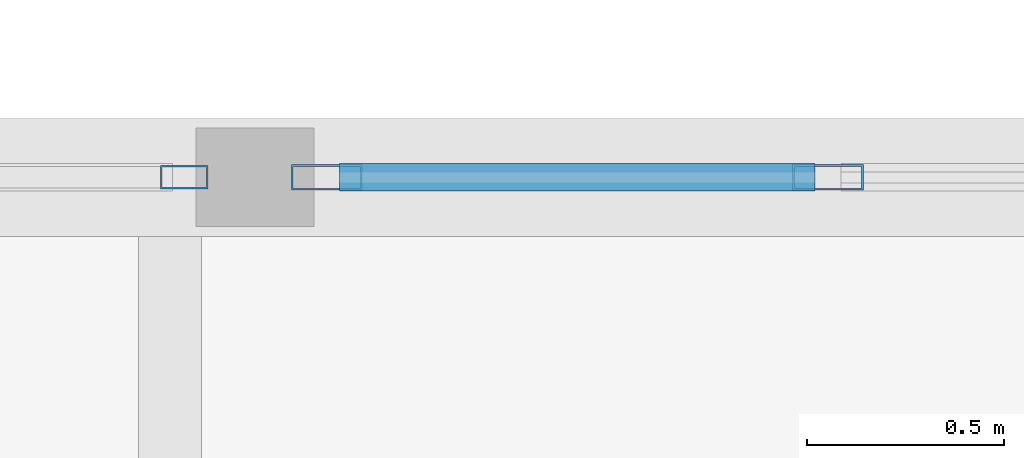
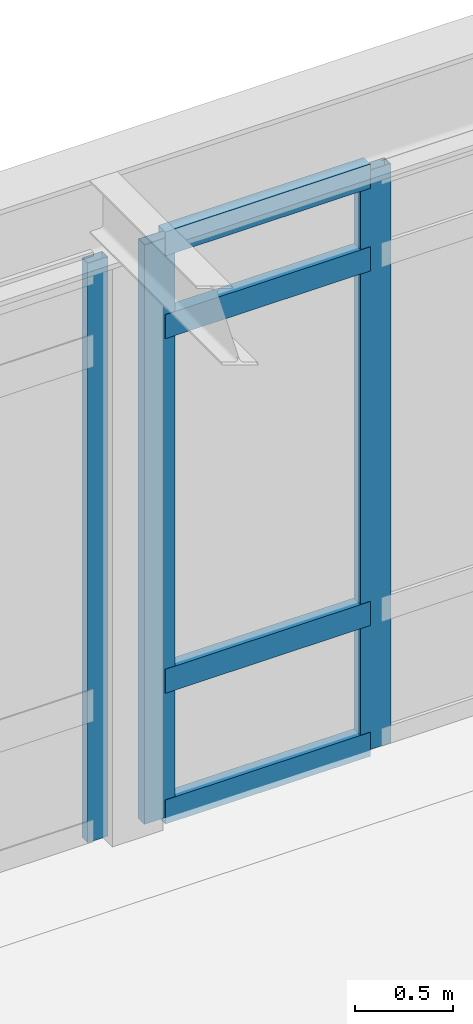
# One storey, part 25 of 61: 7 members, 2 elements without a shape of their own.
"""IFC4 building model written with IfcOpenShell, lengths in metres."""

import ifcopenshell
import ifcopenshell.guid

model = None  # the IFC model being written
_history = None  # IfcOwnerHistory: only IFC2X3 demands one
_inside = {}  # id of a spatial element -> (the spatial element, [elements in it])
_under = {}  # id of a project, library or spatial element -> (it, [spatial elements below it])
_declared = {}  # id of a project -> (the project, [libraries it declares])
_typed = {}  # id of a type object -> (the type object, [elements of that type])
_made_of = {}  # id of a material, layer set ... -> (it, [elements and type objects made of it])


def new_model(schema):
    """Start an empty IFC model of exactly this schema.

    Asked for "IFC4X3", IfcOpenShell would pick the latest addendum, in which some entities
    have other attributes; the version numbers below select the first issue.
    IFC2X3 requires an IfcOwnerHistory on every rooted entity: one is made here for all.
    """
    global model, _history
    if schema == "IFC4X3":
        model = ifcopenshell.file(schema_version=(4, 3, 0, 0))
    else:
        model = ifcopenshell.file(schema=schema)
    _inside.clear()
    _under.clear()
    _declared.clear()
    _typed.clear()
    _made_of.clear()
    _history = None
    if model.schema == "IFC2X3":
        org = make("IfcOrganization", Name="unknown")
        user = make(
            "IfcPersonAndOrganization",
            ThePerson=make("IfcPerson", FamilyName="unknown"),
            TheOrganization=org,
        )
        app = make(
            "IfcApplication",
            ApplicationDeveloper=org,
            Version="unknown",
            ApplicationFullName="unknown",
            ApplicationIdentifier="unknown",
        )
        _history = make(
            "IfcOwnerHistory",
            OwningUser=user,
            OwningApplication=app,
            ChangeAction="ADDED",
            CreationDate=0,
        )
    return model


def make(cls, **values):
    """One entity of the class cls with the attributes given. An attribute that is None is left unset."""
    return model.create_entity(
        cls, **{name: value for name, value in values.items() if value is not None}
    )


def rooted(cls, **values):
    """An entity with a GlobalId (a new one), such as an element, a storey or a relation."""
    return make(cls, GlobalId=ifcopenshell.guid.new(), OwnerHistory=_history, **values)


def si_unit(unit_type, name, prefix=None):
    """IfcSIUnit, for example si_unit("LENGTHUNIT", "METRE", prefix="MILLI")."""
    return make("IfcSIUnit", UnitType=unit_type, Prefix=prefix, Name=name)


def assignment(units):
    """IfcUnitAssignment: the units of a project."""
    return None if units is None else make("IfcUnitAssignment", Units=units)


def point(xyz):
    """IfcCartesianPoint."""
    return None if xyz is None else make("IfcCartesianPoint", Coordinates=xyz)


def direction(xyz):
    """IfcDirection."""
    return None if xyz is None else make("IfcDirection", DirectionRatios=xyz)


def frame(location, z_axis=None, x_axis=None):
    """IfcAxis2Placement3D, a coordinate frame: its origin and axes. An axis left out is left unset."""
    return make(
        "IfcAxis2Placement3D",
        Location=point(location),
        Axis=direction(z_axis),
        RefDirection=direction(x_axis),
    )


def frame_2d(location, x_axis=None):
    """IfcAxis2Placement2D, a coordinate frame in the plane: its origin and x axis."""
    return make(
        "IfcAxis2Placement2D", Location=point(location), RefDirection=direction(x_axis)
    )


def origin():
    """The frame at (0, 0, 0) with its axes left unset."""
    return frame((0.0, 0.0, 0.0))


def origin_2d():
    """The frame at (0, 0) in the plane with its x axis left unset."""
    return frame_2d((0.0, 0.0))


def place(relative_to, where):
    """IfcLocalPlacement: puts the frame where relative to a parent placement (None: the world)."""
    return make(
        "IfcLocalPlacement", PlacementRelTo=relative_to, RelativePlacement=where
    )


def context(
    kind, dimensions, precision=None, world=None, true_north=None, identifier=None
):
    """IfcGeometricRepresentationContext, for example the 3D "Model" context."""
    return make(
        "IfcGeometricRepresentationContext",
        ContextIdentifier=identifier,
        ContextType=kind,
        CoordinateSpaceDimension=dimensions,
        Precision=precision,
        WorldCoordinateSystem=world,
        TrueNorth=true_north,
    )


def subcontext(parent, identifier, kind, view, scale=None):
    """IfcGeometricRepresentationSubContext, for example "Body" below "Model"."""
    return make(
        "IfcGeometricRepresentationSubContext",
        ContextIdentifier=identifier,
        ContextType=kind,
        ParentContext=parent,
        TargetScale=scale,
        TargetView=view,
    )


def project(units=None, contexts=None):
    """IfcProject with its units and contexts."""
    return rooted(
        "IfcProject",
        Name="project",
        RepresentationContexts=contexts,
        UnitsInContext=assignment(units),
    )


def spatial(cls, under=None, at=None, **own):
    """A site, building, storey or space (cls), placed at a placement, below another one or the project."""
    s = rooted(cls, ObjectPlacement=at, **own)
    if under is not None:
        _under.setdefault(under.id(), (under, []))[1].append(s)
    return s


def profile(cls, at=None, kind="AREA", **sizes):
    """A parametric profile (cls). Its sizes go by their IFC names, for example OverallWidth=200.0."""
    return make(cls, ProfileType=kind, Position=at, **sizes)


def hollow_rectangle(**sizes):
    """IfcRectangleHollowProfileDef."""
    return profile("IfcRectangleHollowProfileDef", **sizes)


def extrude(swept, where, along, depth):
    """IfcExtrudedAreaSolid: the profile swept, set in the frame where, extruded along a direction by depth."""
    return make(
        "IfcExtrudedAreaSolid",
        SweptArea=swept,
        Position=where,
        ExtrudedDirection=direction(along),
        Depth=depth,
    )


def shape(context_of_items, identifier, shape_type, items):
    """IfcShapeRepresentation: the items that make up one representation, for example the "Body"."""
    return make(
        "IfcShapeRepresentation",
        ContextOfItems=context_of_items,
        RepresentationIdentifier=identifier,
        RepresentationType=shape_type,
        Items=items,
    )


def material(Name=None, Category=None):
    """IfcMaterial."""
    return make("IfcMaterial", Name=Name, Category=Category)


def layer(
    of_material, thickness, ventilated=None, Name=None, Category=None, Priority=None
):
    """IfcMaterialLayer: one layer of a wall or slab, of a material (None: an air gap)."""
    return make(
        "IfcMaterialLayer",
        Material=of_material,
        LayerThickness=thickness,
        IsVentilated=ventilated,
        Name=Name,
        Category=Category,
        Priority=Priority,
    )


def layer_set(layers, Name=None):
    """IfcMaterialLayerSet."""
    return make("IfcMaterialLayerSet", MaterialLayers=layers, LayerSetName=Name)


def material_profile(
    of_material, cross_section, Name=None, Category=None, Priority=None
):
    """IfcMaterialProfile: a cross section and its material."""
    return make(
        "IfcMaterialProfile",
        Name=Name,
        Material=of_material,
        Profile=cross_section,
        Priority=Priority,
        Category=Category,
    )


def profile_set(profiles, Name=None, composite=None):
    """IfcMaterialProfileSet."""
    return make(
        "IfcMaterialProfileSet",
        Name=Name,
        MaterialProfiles=profiles,
        CompositeProfile=composite,
    )


def made_of(thing, what):
    """Note that an element or type object is made of a material, layer set ...; save() writes the relation."""
    if what is not None:
        _made_of.setdefault(what.id(), (what, []))[1].append(thing)
    return thing


def type_object(cls, material=None, **own):
    """A type object (cls), such as IfcWallType, which elements share."""
    return made_of(rooted(cls, **own), material)


def element(
    cls,
    number,
    at=None,
    inside=None,
    cuts=None,
    type_object=None,
    material=None,
    context=None,
    identifier="Body",
    shape_type=None,
    held_by="IfcProductDefinitionShape",
    body=None,
    shapes=None,
    **own,
):
    """One element of the class cls, such as IfcWall. Its Tag is "e" and its number.

    at: its placement. inside: the storey or other place that contains it. cuts: it is an
    opening in that element (IfcRelVoidsElement). A single representation is given by context,
    identifier, shape_type and body (its items); several are given by shapes. held_by: the class
    of the entity that holds the representations. save() writes the other relations.
    """
    e = rooted(cls, Tag="e%d" % number, ObjectPlacement=at, **own)
    if body is not None:
        shapes = [shape(context, identifier, shape_type, body)]
    if shapes is not None:
        e.Representation = make(held_by, Representations=shapes)
    if inside is not None:
        _inside.setdefault(inside.id(), (inside, []))[1].append(e)
    if cuts is not None:
        rooted(
            "IfcRelVoidsElement", RelatingBuildingElement=cuts, RelatedOpeningElement=e
        )
    if type_object is not None:
        _typed.setdefault(type_object.id(), (type_object, []))[1].append(e)
    return made_of(e, material)


def aggregate(whole, parts):
    """IfcRelAggregates: a whole, such as a stair, and the parts it consists of."""
    return rooted("IfcRelAggregates", RelatingObject=whole, RelatedObjects=parts)


def save(model, path):
    """Write the relations noted so far, then the file.

    IfcRelAggregates (storeys below a building ...), IfcRelContainedInSpatialStructure (elements
    in a storey), IfcRelDefinesByType, IfcRelAssociatesMaterial and IfcRelDeclares: one each for
    every whole, place, type object, material and project.
    """
    for whole, parts in _under.values():
        aggregate(whole, parts)
    for where, things in _inside.values():
        rooted(
            "IfcRelContainedInSpatialStructure",
            RelatedElements=things,
            RelatingStructure=where,
        )
    for kind, things in _typed.values():
        rooted("IfcRelDefinesByType", RelatedObjects=things, RelatingType=kind)
    for what, things in _made_of.values():
        rooted("IfcRelAssociatesMaterial", RelatedObjects=things, RelatingMaterial=what)
    for by, libraries in _declared.values():
        rooted("IfcRelDeclares", RelatingContext=by, RelatedDefinitions=libraries)
    model.write(path)


model = new_model("IFC4")

# Units and contexts
model_context = context("Model", 3, precision=1e-05, world=origin(), true_north=direction((0.0, 1.0)))
body_context = subcontext(model_context, "Body", "Model", "MODEL_VIEW")
ifc_project = project(units=[si_unit("LENGTHUNIT", "METRE"), si_unit("AREAUNIT", "SQUARE_METRE"), si_unit("VOLUMEUNIT", "CUBIC_METRE"), si_unit("PLANEANGLEUNIT", "RADIAN"), si_unit("MASSUNIT", "GRAM", prefix="KILO")], contexts=[model_context])

# Site, building, storey
site_placement = place(None, origin())
site = spatial("IfcSite", under=ifc_project, at=site_placement, CompositionType="ELEMENT")
building_placement = place(site_placement, origin())
building = spatial("IfcBuilding", under=site, at=building_placement, Name="Fikremerkos Civic Library", CompositionType="ELEMENT")
storey_placement = place(building_placement, frame((0.0, 0.0, 14.39990234375)))
storey = spatial("IfcBuildingStorey", under=building, at=storey_placement, Name="L03", CompositionType="ELEMENT", Elevation=14.39990234375)

# Curtain wall, members
ifc_material = material(Name="Anodized aluminium Frame", Category="aluminium")
ifc_layer_1 = layer(ifc_material, 0.159912109375, Name="Anodized aluminium Frame")
ifc_layer_set_1 = layer_set([ifc_layer_1], Name="Anodized aluminium Frame")
curtain_wall_type_1 = type_object("IfcCurtainWallType", Name="Unitised curtain wall CW-17 4600x3600", PredefinedType="USERDEFINED", material=ifc_layer_set_1)
curtain_wall_1_placement = place(storey_placement, origin())
curtain_wall_1 = element("IfcCurtainWall", 1, at=curtain_wall_1_placement, inside=storey, type_object=curtain_wall_type_1, Name="Unitised curtain wall CW-17 L03 #197", ObjectType="UNITISED CURTAIN WALL", PredefinedType="USERDEFINED")
ifc_material_profile_1 = material_profile(ifc_material, hollow_rectangle(XDim=0.06494140625, YDim=0.179931640625, WallThickness=0.00439453125, at=origin_2d()), Name="ALU 180x65x4.5")
ifc_profile_set_1 = profile_set([ifc_material_profile_1], Name="Anodized aluminium Frame")
member_type_1 = type_object("IfcMemberType", Name="Curtain mullion CWM-01 ALU 180x65x4.5", PredefinedType="MULLION", material=ifc_profile_set_1)
member_1_placement = place(storey_placement, frame((64.598388671875, 48.0, 0.0), z_axis=(0.0, 0.0, 1.0), x_axis=(0.0, 1.0, 0.0)))
member_1 = element("IfcMember", 2, at=member_1_placement, type_object=member_type_1, Name="CW-17 mullion 1", PredefinedType="MULLION", context=body_context, shape_type="SweptSolid", body=[
    extrude(hollow_rectangle(XDim=0.06494140625, YDim=0.179931640625, WallThickness=0.00439453125, at=origin_2d()), origin(), (0.0, 0.0, 1.0), 3.610107421875),
])
member_2_placement = place(storey_placement, frame((65.8720703125, 48.0, 0.0), z_axis=(0.0, 0.0, 1.0), x_axis=(0.0, 1.0, 0.0)))
member_2 = element("IfcMember", 3, at=member_2_placement, type_object=member_type_1, Name="CW-17 mullion 2", PredefinedType="MULLION", context=body_context, shape_type="SweptSolid", body=[
    extrude(hollow_rectangle(XDim=0.06494140625, YDim=0.179931640625, WallThickness=0.00439453125, at=origin_2d()), origin(), (0.0, 0.0, 1.0), 3.610107421875),
])

# Curtain wall, member
ifc_layer_2 = layer(ifc_material, 0.159912109375, Name="Anodized aluminium Frame")
ifc_layer_set_2 = layer_set([ifc_layer_2], Name="Anodized aluminium Frame")
curtain_wall_type_2 = type_object("IfcCurtainWallType", Name="Unitised curtain wall CW-16 3100x4100", PredefinedType="USERDEFINED", material=ifc_layer_set_2)
curtain_wall_2_placement = place(storey_placement, origin())
curtain_wall_2 = element("IfcCurtainWall", 4, at=curtain_wall_2_placement, inside=storey, type_object=curtain_wall_type_2, Name="Unitised curtain wall CW-16 L03 #196", ObjectType="UNITISED CURTAIN WALL", PredefinedType="USERDEFINED")
ifc_material_profile_2 = material_profile(ifc_material, hollow_rectangle(XDim=0.06005859375, YDim=0.1201171875, WallThickness=0.00390625, at=origin_2d()), Name="ALU 120x60x4")
ifc_profile_set_2 = profile_set([ifc_material_profile_2], Name="Anodized aluminium Frame")
member_type_2 = type_object("IfcMemberType", Name="Curtain mullion CWM-04 ALU 120x60x4", PredefinedType="MULLION", material=ifc_profile_set_2)
member_3_placement = place(storey_placement, frame((64.236083984375, 48.0, 0.0), z_axis=(0.0, 0.0, 1.0), x_axis=(0.0, 1.0, 0.0)))
member_3 = element("IfcMember", 5, at=member_3_placement, type_object=member_type_2, Name="CW-16 mullion 4", PredefinedType="MULLION", context=body_context, shape_type="SweptSolid", body=[
    extrude(hollow_rectangle(XDim=0.06005859375, YDim=0.1201171875, WallThickness=0.00390625, at=origin_2d()), origin(), (0.0, 0.0, 1.0), 3.610107421875),
])
aggregate(curtain_wall_2, [member_3])

# Member
ifc_material_profile_3 = material_profile(ifc_material, hollow_rectangle(XDim=0.070068359375, YDim=0.14990234375, WallThickness=0.00439453125, at=origin_2d()), Name="ALU 150x70x4.5")
ifc_profile_set_3 = profile_set([ifc_material_profile_3], Name="Anodized aluminium Frame")
member_type_3 = type_object("IfcMemberType", Name="Curtain transom CWT-01 ALU 150x70x4.5", PredefinedType="USERDEFINED", material=ifc_profile_set_3)
member_4_placement = place(storey_placement, frame((64.631103515625, 48.0, 0.03515625), z_axis=(1.0, 0.0, 0.0), x_axis=(0.0, 1.0, 0.0)))
member_4 = element("IfcMember", 6, at=member_4_placement, type_object=member_type_3, Name="CW-17 transom 1.1", ObjectType="TRANSOM", PredefinedType="USERDEFINED", context=body_context, shape_type="SweptSolid", body=[
    extrude(hollow_rectangle(XDim=0.070068359375, YDim=0.14990234375, WallThickness=0.00439453125, at=origin_2d()), origin(), (0.0, 0.0, 1.0), 1.20849609375),
])

member_5_placement = place(storey_placement, frame((64.631103515625, 48.0, 0.85009765625), z_axis=(1.0, 0.0, 0.0), x_axis=(0.0, 1.0, 0.0)))
member_5 = element("IfcMember", 7, at=member_5_placement, type_object=member_type_3, Name="CW-17 transom 1.2", ObjectType="TRANSOM", PredefinedType="USERDEFINED", context=body_context, shape_type="SweptSolid", body=[
    extrude(hollow_rectangle(XDim=0.070068359375, YDim=0.14990234375, WallThickness=0.00439453125, at=origin_2d()), origin(), (0.0, 0.0, 1.0), 1.20849609375),
])

member_6_placement = place(storey_placement, frame((64.631103515625, 48.0, 3.06005859375), z_axis=(1.0, 0.0, 0.0), x_axis=(0.0, 1.0, 0.0)))
member_6 = element("IfcMember", 8, at=member_6_placement, type_object=member_type_3, Name="CW-17 transom 1.3", ObjectType="TRANSOM", PredefinedType="USERDEFINED", context=body_context, shape_type="SweptSolid", body=[
    extrude(hollow_rectangle(XDim=0.070068359375, YDim=0.14990234375, WallThickness=0.00439453125, at=origin_2d()), origin(), (0.0, 0.0, 1.0), 1.20849609375),
])

member_7_placement = place(storey_placement, frame((64.631103515625, 48.0, 3.5751953125), z_axis=(1.0, 0.0, 0.0), x_axis=(0.0, 1.0, 0.0)))
member_7 = element("IfcMember", 9, at=member_7_placement, type_object=member_type_3, Name="CW-17 transom 1.4", ObjectType="TRANSOM", PredefinedType="USERDEFINED", context=body_context, shape_type="SweptSolid", body=[
    extrude(hollow_rectangle(XDim=0.070068359375, YDim=0.14990234375, WallThickness=0.00439453125, at=origin_2d()), origin(), (0.0, 0.0, 1.0), 1.20849609375),
])

aggregate(curtain_wall_1, [member_1, member_2, member_4, member_5, member_6, member_7])

save(model, "model.ifc")
